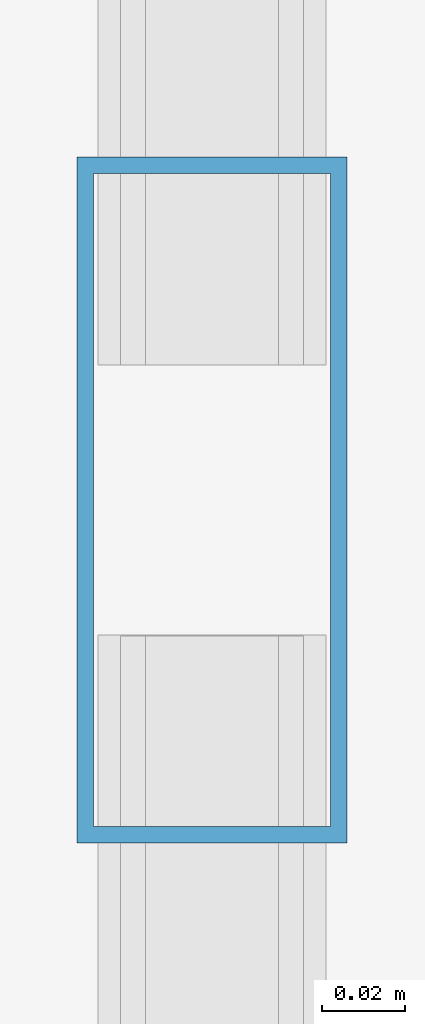
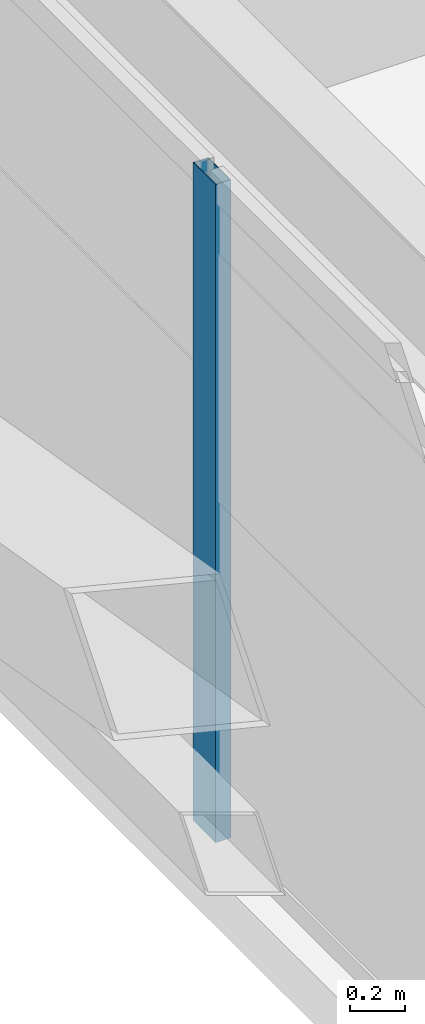
# One storey, part 16 of 59: 1 member, 1 element without a shape of its own.
"""IFC4 building model written with IfcOpenShell, lengths in metres."""

from ifc_helpers import new_model, si_unit, direction, frame, origin, origin_2d, place, context, subcontext, project, spatial, hollow_rectangle, extrude, source, transform, mapped, material, layer, layer_set, material_profile, profile_set, type_object, element, aggregate, save


model = new_model("IFC4")

# Units and contexts
model_context = context("Model", 3, precision=1e-05, world=origin(), true_north=direction((0.0, 1.0)))
body_context = subcontext(model_context, "Body", "Model", "MODEL_VIEW")
ifc_project = project(units=[si_unit("LENGTHUNIT", "METRE"), si_unit("AREAUNIT", "SQUARE_METRE"), si_unit("VOLUMEUNIT", "CUBIC_METRE"), si_unit("PLANEANGLEUNIT", "RADIAN"), si_unit("MASSUNIT", "GRAM", prefix="KILO")], contexts=[model_context])

# Site, building, storey
site_placement = place(None, origin())
site = spatial("IfcSite", under=ifc_project, at=site_placement, CompositionType="ELEMENT")
building_placement = place(site_placement, origin())
building = spatial("IfcBuilding", under=site, at=building_placement, Name="Taldren Reach Tower", CompositionType="ELEMENT")
storey_placement = place(building_placement, frame((0.0, 0.0, 48.300048828125)))
storey = spatial("IfcBuildingStorey", under=building, at=storey_placement, Name="L14", CompositionType="ELEMENT", Elevation=48.300048828125)

# Curtain wall, member
ifc_material_1 = material(Name="Aluminium and Low-E Glass Unitised System", Category="aluminium")
ifc_layer = layer(ifc_material_1, 0.159912109375)
ifc_layer_set = layer_set([ifc_layer], Name="Aluminium and Low-E Glass Unitised System")
curtain_wall_type = type_object("IfcCurtainWallType", Name="CW-SYS-2", PredefinedType="NOTDEFINED", material=ifc_layer_set)
curtain_wall_placement = place(storey_placement, origin())
curtain_wall = element("IfcCurtainWall", 1, at=curtain_wall_placement, inside=storey, type_object=curtain_wall_type, Name="Unitised curtain wall CW-L14-W", PredefinedType="NOTDEFINED")
ifc_material_2 = material(Name="Anodised Aluminium 6063-T6", Category="aluminium")
ifc_material_profile = material_profile(ifc_material_2, hollow_rectangle(XDim=0.06494140625, YDim=0.1650390625, WallThickness=0.00390625, at=origin_2d()), Name="ALU-165x65x4RHS")
ifc_profile_set = profile_set([ifc_material_profile], Name="Anodised Aluminium 6063-T6")
member_type = type_object("IfcMemberType", Name="CW-MUL-165", PredefinedType="MULLION", material=ifc_profile_set)
shared_shape = source(origin(), body_context, "Body", "SweptSolid", [
    extrude(hollow_rectangle(XDim=0.06494140625, YDim=0.1650390625, WallThickness=0.00390625, at=origin_2d()), origin(), (0.0, 0.0, 1.0), 2.929931640625),
])
member_placement = place(storey_placement, frame((5.139892578125, 25.166748046875, 0.0), z_axis=(0.0, 0.0, 1.0), x_axis=(1.0, 0.0, 0.0)))
member = element("IfcMember", 2, at=member_placement, type_object=member_type, Name="CW-2 mullion 4", PredefinedType="MULLION", context=body_context, shape_type="MappedRepresentation", body=[
    mapped(shared_shape, transform((0.0, 0.0, 0.0), scale=1.0)),
])
aggregate(curtain_wall, [member])

save(model, "model.ifc")
